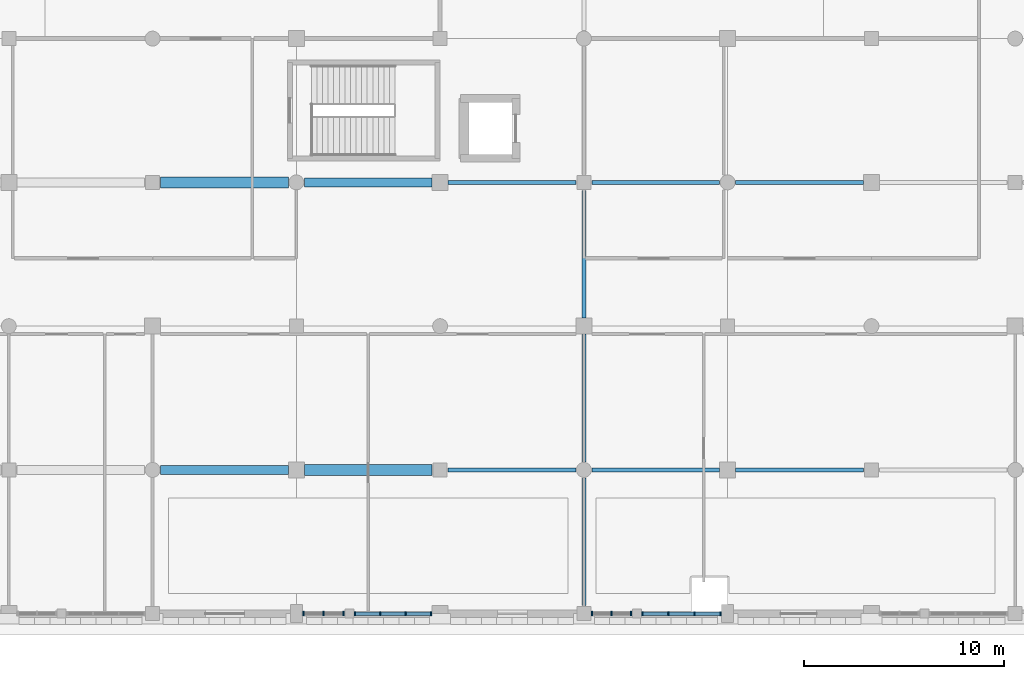
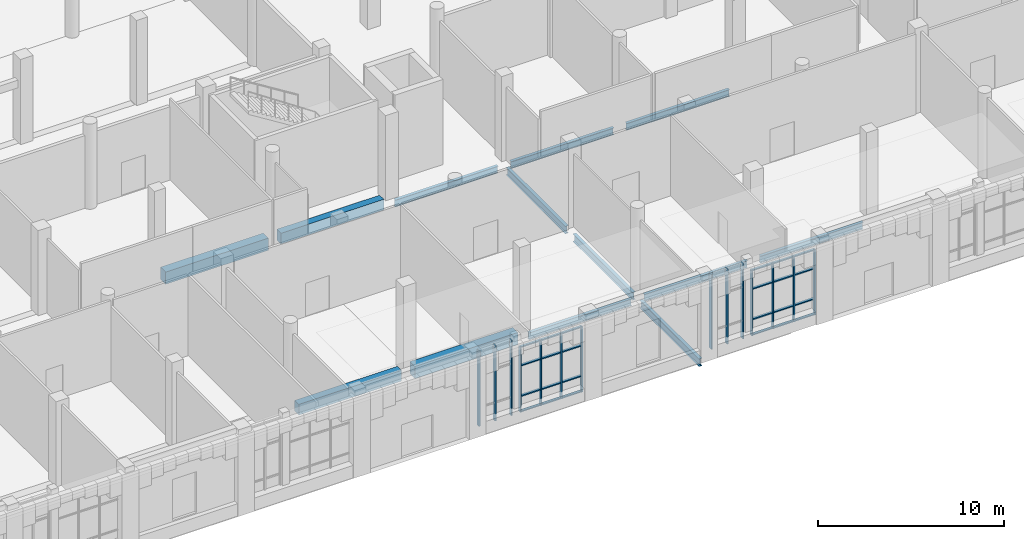
# One storey, part 15 of 85: 38 members, 13 beams, 4 elements without a shape of their own.
"""IFC4 building model written with IfcOpenShell, lengths in metres."""

from ifc_helpers import new_model, si_unit, direction, frame, origin, origin_2d, place, context, subcontext, project, spatial, rectangle, i_section, extrude, material, material_profile, profile_set, type_object, element, aggregate, save


model = new_model("IFC4")

# Units and contexts
model_context = context("Model", 3, precision=1e-05, world=origin(), true_north=direction((0.0, 1.0)))
body_context = subcontext(model_context, "Body", "Model", "MODEL_VIEW")
ifc_project = project(units=[si_unit("LENGTHUNIT", "METRE"), si_unit("AREAUNIT", "SQUARE_METRE"), si_unit("VOLUMEUNIT", "CUBIC_METRE"), si_unit("PLANEANGLEUNIT", "RADIAN"), si_unit("MASSUNIT", "GRAM", prefix="KILO")], contexts=[model_context])

# Site, building, storey
site_placement = place(None, origin())
site = spatial("IfcSite", under=ifc_project, at=site_placement, CompositionType="ELEMENT")
building_placement = place(site_placement, origin())
building = spatial("IfcBuilding", under=site, at=building_placement, Name="Sardonyx Promenade Sports Hall", CompositionType="ELEMENT")
storey_placement = place(building_placement, origin())
storey = spatial("IfcBuildingStorey", under=building, at=storey_placement, Name="L00", CompositionType="ELEMENT", Elevation=0.0)

# Beams
ifc_material_1 = material(Name="Concrete C40/50", Category="concrete")
ifc_material_profile_1 = material_profile(ifc_material_1, rectangle(XDim=0.550048828125, YDim=0.800048828125, at=origin_2d()))
ifc_profile_set_1 = profile_set([ifc_material_profile_1], Name="Concrete C40/50")
beam_type_1 = type_object("IfcBeamType", Name="Bm_Girder_RC800", PredefinedType="BEAM", material=ifc_profile_set_1)
beam_1_placement = place(storey_placement, frame((101.199951171875, 7.199951171875, -0.39990234375), z_axis=(1.0, 0.0, 0.0), x_axis=(0.0, 1.0, 0.0)))
element("IfcBeam", 1, at=beam_1_placement, inside=storey, type_object=beam_type_1, Name="Beam BG04 L00 #68", PredefinedType="BEAM", context=body_context, shape_type="SweptSolid", body=[
    extrude(rectangle(XDim=0.550048828125, YDim=0.800048828125, at=origin_2d()), origin(), (0.0, 0.0, 1.0), 6.400146484375),
])
beam_2_placement = place(storey_placement, frame((94.0, 21.60009765625, -0.39990234375), z_axis=(1.0, 0.0, 0.0), x_axis=(0.0, 1.0, 0.0)))
element("IfcBeam", 2, at=beam_2_placement, inside=storey, type_object=beam_type_1, Name="Beam BG04 L00 #90", PredefinedType="BEAM", context=body_context, shape_type="SweptSolid", body=[
    extrude(rectangle(XDim=0.550048828125, YDim=0.800048828125, at=origin_2d()), origin(), (0.0, 0.0, 1.0), 6.39990234375),
])
ifc_material_2 = material(Name="Steel S355JR", Category="steel")
ifc_material_profile_2 = material_profile(ifc_material_2, i_section(OverallWidth=0.18994140625, OverallDepth=0.453369140625, WebThickness=0.008544921875, FlangeThickness=0.0126953125, at=origin_2d()))
ifc_profile_set_2 = profile_set([ifc_material_profile_2], Name="Steel S355JR")
beam_type_2 = type_object("IfcBeamType", Name="Bm_Girder_UB457", PredefinedType="BEAM", material=ifc_profile_set_2)
beam_3_placement = place(storey_placement, frame((108.39990234375, 7.199951171875, -0.646728515625), z_axis=(1.0, 0.0, 0.0), x_axis=(0.0, 1.0, 0.0)))
element("IfcBeam", 3, at=beam_3_placement, inside=storey, type_object=beam_type_2, Name="Beam SB01 L00 #69", PredefinedType="BEAM", context=body_context, shape_type="SweptSolid", body=[
    extrude(i_section(OverallWidth=0.18994140625, OverallDepth=0.453369140625, WebThickness=0.008544921875, FlangeThickness=0.0126953125, at=origin_2d()), origin(), (0.0, 0.0, 1.0), 6.400146484375),
])
for number, where, z_axis, x_axis, name in (
    (4, (115.60009765625, 7.199951171875, -0.646728515625), (1.0, 0.0, 0.0), (0.0, 1.0, 0.0), "Beam SB01 L00 #70"),
    (5, (122.800048828125, 7.199951171875, -0.646728515625), (1.0, 0.0, 0.0), (0.0, 1.0, 0.0), "Beam SB01 L00 #71"),
):
    element("IfcBeam", number, at=place(storey_placement, frame(where, z_axis=z_axis, x_axis=x_axis)), inside=storey, type_object=beam_type_2, Name=name, PredefinedType="BEAM", context=body_context, shape_type="SweptSolid", body=[
        extrude(i_section(OverallWidth=0.18994140625, OverallDepth=0.453369140625, WebThickness=0.008544921875, FlangeThickness=0.0126953125, at=origin_2d()), origin(), (0.0, 0.0, 1.0), 6.39990234375),
    ])
beam_4_placement = place(storey_placement, frame((108.39990234375, 21.60009765625, -0.646728515625), z_axis=(1.0, 0.0, 0.0), x_axis=(0.0, 1.0, 0.0)))
element("IfcBeam", 6, at=beam_4_placement, inside=storey, type_object=beam_type_2, Name="Beam SB01 L00 #92", PredefinedType="BEAM", context=body_context, shape_type="SweptSolid", body=[
    extrude(i_section(OverallWidth=0.18994140625, OverallDepth=0.453369140625, WebThickness=0.008544921875, FlangeThickness=0.0126953125, at=origin_2d()), origin(), (0.0, 0.0, 1.0), 6.400146484375),
])
for number, where, z_axis, x_axis, name in (
    (7, (115.60009765625, 21.60009765625, -0.646728515625), (1.0, 0.0, 0.0), (0.0, 1.0, 0.0), "Beam SB01 L00 #93"),
    (8, (122.800048828125, 21.60009765625, -0.646728515625), (1.0, 0.0, 0.0), (0.0, 1.0, 0.0), "Beam SB01 L00 #94"),
):
    element("IfcBeam", number, at=place(storey_placement, frame(where, z_axis=z_axis, x_axis=x_axis)), inside=storey, type_object=beam_type_2, Name=name, PredefinedType="BEAM", context=body_context, shape_type="SweptSolid", body=[
        extrude(i_section(OverallWidth=0.18994140625, OverallDepth=0.453369140625, WebThickness=0.008544921875, FlangeThickness=0.0126953125, at=origin_2d()), origin(), (0.0, 0.0, 1.0), 6.39990234375),
    ])
ifc_material_3 = material(Name="Steel S355JR", Category="steel")
ifc_material_profile_3 = material_profile(ifc_material_3, i_section(OverallWidth=0.199951171875, OverallDepth=0.5, WebThickness=0.01025390625, FlangeThickness=0.01611328125, at=origin_2d()))
ifc_profile_set_3 = profile_set([ifc_material_profile_3], Name="Steel S355JR")
beam_type_3 = type_object("IfcBeamType", Name="Bm_Primary_IPE500", PredefinedType="BEAM", material=ifc_profile_set_3)
beam_5_placement = place(storey_placement, frame((115.199951171875, 0.39990234375, -0.669921875), z_axis=(0.0, 1.0, 0.0), x_axis=(-1.0, 0.0, 0.0)))
element("IfcBeam", 9, at=beam_5_placement, inside=storey, type_object=beam_type_3, Name="Beam SB06 L00 #148", PredefinedType="BEAM", context=body_context, shape_type="SweptSolid", body=[
    extrude(i_section(OverallWidth=0.199951171875, OverallDepth=0.5, WebThickness=0.01025390625, FlangeThickness=0.01611328125, at=origin_2d()), origin(), (0.0, 0.0, 1.0), 6.400146484375),
])
for number, where, z_axis, x_axis, name in (
    (10, (115.199951171875, 7.60009765625, -0.669921875), (0.0, 1.0, 0.0), (-1.0, 0.0, 0.0), "Beam SB06 L00 #149"),
    (11, (115.199951171875, 14.800048828125, -0.669921875), (0.0, 1.0, 0.0), (-1.0, 0.0, 0.0), "Beam SB06 L00 #150"),
):
    element("IfcBeam", number, at=place(storey_placement, frame(where, z_axis=z_axis, x_axis=x_axis)), inside=storey, type_object=beam_type_3, Name=name, PredefinedType="BEAM", context=body_context, shape_type="SweptSolid", body=[
        extrude(i_section(OverallWidth=0.199951171875, OverallDepth=0.5, WebThickness=0.01025390625, FlangeThickness=0.01611328125, at=origin_2d()), origin(), (0.0, 0.0, 1.0), 6.39990234375),
    ])
ifc_material_4 = material(Name="Concrete C40/50", Category="concrete")
ifc_material_profile_4 = material_profile(ifc_material_4, rectangle(XDim=0.449951171875, YDim=0.699951171875, at=origin_2d()))
ifc_profile_set_4 = profile_set([ifc_material_profile_4], Name="Concrete C40/50")
beam_type_4 = type_object("IfcBeamType", Name="Bm_Primary_RC700", PredefinedType="BEAM", material=ifc_profile_set_4)
beam_6_placement = place(storey_placement, frame((94.0, 7.199951171875, -0.35009765625), z_axis=(1.0, 0.0, 0.0), x_axis=(0.0, 1.0, 0.0)))
element("IfcBeam", 12, at=beam_6_placement, inside=storey, type_object=beam_type_4, Name="Beam BG01 L00 #67", PredefinedType="BEAM", context=body_context, shape_type="SweptSolid", body=[
    extrude(rectangle(XDim=0.449951171875, YDim=0.699951171875, at=origin_2d()), origin(), (0.0, 0.0, 1.0), 6.39990234375),
])
beam_7_placement = place(storey_placement, frame((101.199951171875, 21.60009765625, -0.35009765625), z_axis=(1.0, 0.0, 0.0), x_axis=(0.0, 1.0, 0.0)))
element("IfcBeam", 13, at=beam_7_placement, inside=storey, type_object=beam_type_4, Name="Beam BG01 L00 #91", PredefinedType="BEAM", context=body_context, shape_type="SweptSolid", body=[
    extrude(rectangle(XDim=0.449951171875, YDim=0.699951171875, at=origin_2d()), origin(), (0.0, 0.0, 1.0), 6.400146484375),
])

# Curtain wall, members
ifc_material_5 = material(Name="Aluminium 6063-T6", Category="aluminium")
curtain_wall_type_1 = type_object("IfcCurtainWallType", Name="CW_South_L00_640", PredefinedType="USERDEFINED", material=ifc_material_5)
curtain_wall_1_placement = place(storey_placement, origin())
curtain_wall_1 = element("IfcCurtainWall", 14, at=curtain_wall_1_placement, inside=storey, type_object=curtain_wall_type_1, Name="Curtain wall CW11 cw:L00:005", ObjectType="CURTAIN WALL", PredefinedType="USERDEFINED")
ifc_material_6 = material(Name="Aluminium 6063-T6", Category="aluminium")
ifc_material_profile_5 = material_profile(ifc_material_6, rectangle(XDim=0.070068359375, YDim=0.199951171875, at=origin_2d()))
ifc_profile_set_5 = profile_set([ifc_material_profile_5], Name="Aluminium 6063-T6")
member_type_1 = type_object("IfcMemberType", Name="CW_Mull_200", PredefinedType="MULLION", material=ifc_profile_set_5)
member_1_placement = place(storey_placement, frame((122.044921875, 0.0, 0.35009765625), z_axis=(0.0, 0.0, 1.0), x_axis=(-1.0, 0.0, 0.0)))
member_1 = element("IfcMember", 15, at=member_1_placement, type_object=member_type_1, Name="Mullion CM03 cw:L00:005 #1", PredefinedType="MULLION", context=body_context, shape_type="SweptSolid", body=[
    extrude(rectangle(XDim=0.070068359375, YDim=0.199951171875, at=origin_2d()), origin(), (0.0, 0.0, 1.0), 4.2998046875),
])
member_2_placement = place(storey_placement, frame((120.739990234375, 0.0, 0.35009765625), z_axis=(0.0, 0.0, 1.0), x_axis=(-1.0, 0.0, 0.0)))
member_2 = element("IfcMember", 16, at=member_2_placement, type_object=member_type_1, Name="Mullion CM03 cw:L00:005 #2", PredefinedType="MULLION", context=body_context, shape_type="SweptSolid", body=[
    extrude(rectangle(XDim=0.070068359375, YDim=0.199951171875, at=origin_2d()), origin(), (0.0, 0.0, 1.0), 4.2998046875),
])
member_3_placement = place(storey_placement, frame((119.43505859375, 0.0, 0.35009765625), z_axis=(0.0, 0.0, 1.0), x_axis=(-1.0, 0.0, 0.0)))
member_3 = element("IfcMember", 17, at=member_3_placement, type_object=member_type_1, Name="Mullion CM03 cw:L00:005 #3", PredefinedType="MULLION", context=body_context, shape_type="SweptSolid", body=[
    extrude(rectangle(XDim=0.070068359375, YDim=0.199951171875, at=origin_2d()), origin(), (0.0, 0.0, 1.0), 4.2998046875),
])
member_4_placement = place(storey_placement, frame((118.1298828125, 0.0, 0.35009765625), z_axis=(0.0, 0.0, 1.0), x_axis=(-1.0, 0.0, 0.0)))
member_4 = element("IfcMember", 18, at=member_4_placement, type_object=member_type_1, Name="Mullion CM03 cw:L00:005 #4", PredefinedType="MULLION", context=body_context, shape_type="SweptSolid", body=[
    extrude(rectangle(XDim=0.070068359375, YDim=0.199951171875, at=origin_2d()), origin(), (0.0, 0.0, 1.0), 4.2998046875),
])

curtain_wall_2_placement = place(storey_placement, origin())
curtain_wall_2 = element("IfcCurtainWall", 19, at=curtain_wall_2_placement, inside=storey, type_object=curtain_wall_type_1, Name="Curtain wall CW11 cw:L00:007", ObjectType="CURTAIN WALL", PredefinedType="USERDEFINED")
member_5_placement = place(storey_placement, frame((107.544921875, 0.0, 0.35009765625), z_axis=(0.0, 0.0, 1.0), x_axis=(-1.0, 0.0, 0.0)))
member_5 = element("IfcMember", 20, at=member_5_placement, type_object=member_type_1, Name="Mullion CM03 cw:L00:007 #1", PredefinedType="MULLION", context=body_context, shape_type="SweptSolid", body=[
    extrude(rectangle(XDim=0.070068359375, YDim=0.199951171875, at=origin_2d()), origin(), (0.0, 0.0, 1.0), 4.2998046875),
])
member_6_placement = place(storey_placement, frame((106.2734375, 0.0, 0.35009765625), z_axis=(0.0, 0.0, 1.0), x_axis=(-1.0, 0.0, 0.0)))
member_6 = element("IfcMember", 21, at=member_6_placement, type_object=member_type_1, Name="Mullion CM03 cw:L00:007 #2", PredefinedType="MULLION", context=body_context, shape_type="SweptSolid", body=[
    extrude(rectangle(XDim=0.070068359375, YDim=0.199951171875, at=origin_2d()), origin(), (0.0, 0.0, 1.0), 4.2998046875),
])
member_7_placement = place(storey_placement, frame((105.001708984375, 0.0, 0.35009765625), z_axis=(0.0, 0.0, 1.0), x_axis=(-1.0, 0.0, 0.0)))
member_7 = element("IfcMember", 22, at=member_7_placement, type_object=member_type_1, Name="Mullion CM03 cw:L00:007 #3", PredefinedType="MULLION", context=body_context, shape_type="SweptSolid", body=[
    extrude(rectangle(XDim=0.070068359375, YDim=0.199951171875, at=origin_2d()), origin(), (0.0, 0.0, 1.0), 4.2998046875),
])
member_8_placement = place(storey_placement, frame((103.72998046875, 0.0, 0.35009765625), z_axis=(0.0, 0.0, 1.0), x_axis=(-1.0, 0.0, 0.0)))
member_8 = element("IfcMember", 23, at=member_8_placement, type_object=member_type_1, Name="Mullion CM03 cw:L00:007 #4", PredefinedType="MULLION", context=body_context, shape_type="SweptSolid", body=[
    extrude(rectangle(XDim=0.070068359375, YDim=0.199951171875, at=origin_2d()), origin(), (0.0, 0.0, 1.0), 4.2998046875),
])

ifc_material_7 = material(Name="Aluminium 6063-T6", Category="aluminium")
curtain_wall_type_2 = type_object("IfcCurtainWallType", Name="CW_Foyer_Pilaster_L00", PredefinedType="USERDEFINED", material=ifc_material_7)
curtain_wall_3_placement = place(storey_placement, origin())
curtain_wall_3 = element("IfcCurtainWall", 24, at=curtain_wall_3_placement, inside=storey, type_object=curtain_wall_type_2, Name="Curtain wall CW20 cw:L00:006", ObjectType="CURTAIN WALL", PredefinedType="USERDEFINED")
ifc_material_8 = material(Name="Aluminium 6063-T6", Category="aluminium")
ifc_material_profile_6 = material_profile(ifc_material_8, rectangle(XDim=0.074951171875, YDim=0.22509765625, at=origin_2d()))
ifc_profile_set_6 = profile_set([ifc_material_profile_6], Name="Aluminium 6063-T6")
member_type_2 = type_object("IfcMemberType", Name="CW_Mull_225", PredefinedType="MULLION", material=ifc_profile_set_6)
member_9_placement = place(storey_placement, frame((117.5673828125, 0.0, 0.35009765625), z_axis=(0.0, 0.0, 1.0), x_axis=(-1.0, 0.0, 0.0)))
member_9 = element("IfcMember", 25, at=member_9_placement, type_object=member_type_2, Name="Mullion CM04 cw:L00:006 #1", PredefinedType="MULLION", context=body_context, shape_type="SweptSolid", body=[
    extrude(rectangle(XDim=0.074951171875, YDim=0.22509765625, at=origin_2d()), origin(), (0.0, 0.0, 1.0), 4.949951171875),
])
member_10_placement = place(storey_placement, frame((116.58740234375, 0.0, 0.35009765625), z_axis=(0.0, 0.0, 1.0), x_axis=(-1.0, 0.0, 0.0)))
member_10 = element("IfcMember", 26, at=member_10_placement, type_object=member_type_2, Name="Mullion CM04 cw:L00:006 #2", PredefinedType="MULLION", context=body_context, shape_type="SweptSolid", body=[
    extrude(rectangle(XDim=0.074951171875, YDim=0.22509765625, at=origin_2d()), origin(), (0.0, 0.0, 1.0), 4.949951171875),
])
member_11_placement = place(storey_placement, frame((115.607421875, 0.0, 0.35009765625), z_axis=(0.0, 0.0, 1.0), x_axis=(-1.0, 0.0, 0.0)))
member_11 = element("IfcMember", 27, at=member_11_placement, type_object=member_type_2, Name="Mullion CM04 cw:L00:006 #3", PredefinedType="MULLION", context=body_context, shape_type="SweptSolid", body=[
    extrude(rectangle(XDim=0.074951171875, YDim=0.22509765625, at=origin_2d()), origin(), (0.0, 0.0, 1.0), 4.949951171875),
])
aggregate(curtain_wall_3, [member_9, member_10, member_11])

curtain_wall_4_placement = place(storey_placement, origin())
curtain_wall_4 = element("IfcCurtainWall", 28, at=curtain_wall_4_placement, inside=storey, type_object=curtain_wall_type_2, Name="Curtain wall CW20 cw:L00:008", ObjectType="CURTAIN WALL", PredefinedType="USERDEFINED")
member_12_placement = place(storey_placement, frame((103.16748046875, 0.0, 0.35009765625), z_axis=(0.0, 0.0, 1.0), x_axis=(-1.0, 0.0, 0.0)))
member_12 = element("IfcMember", 29, at=member_12_placement, type_object=member_type_2, Name="Mullion CM04 cw:L00:008 #1", PredefinedType="MULLION", context=body_context, shape_type="SweptSolid", body=[
    extrude(rectangle(XDim=0.074951171875, YDim=0.22509765625, at=origin_2d()), origin(), (0.0, 0.0, 1.0), 4.949951171875),
])
member_13_placement = place(storey_placement, frame((102.16259765625, 0.0, 0.35009765625), z_axis=(0.0, 0.0, 1.0), x_axis=(-1.0, 0.0, 0.0)))
member_13 = element("IfcMember", 30, at=member_13_placement, type_object=member_type_2, Name="Mullion CM04 cw:L00:008 #2", PredefinedType="MULLION", context=body_context, shape_type="SweptSolid", body=[
    extrude(rectangle(XDim=0.074951171875, YDim=0.22509765625, at=origin_2d()), origin(), (0.0, 0.0, 1.0), 4.949951171875),
])
member_14_placement = place(storey_placement, frame((101.157470703125, 0.0, 0.35009765625), z_axis=(0.0, 0.0, 1.0), x_axis=(-1.0, 0.0, 0.0)))
member_14 = element("IfcMember", 31, at=member_14_placement, type_object=member_type_2, Name="Mullion CM04 cw:L00:008 #3", PredefinedType="MULLION", context=body_context, shape_type="SweptSolid", body=[
    extrude(rectangle(XDim=0.074951171875, YDim=0.22509765625, at=origin_2d()), origin(), (0.0, 0.0, 1.0), 4.949951171875),
])
aggregate(curtain_wall_4, [member_12, member_13, member_14])

# Member
ifc_material_9 = material(Name="Aluminium 6063-T6", Category="aluminium")
ifc_material_profile_7 = material_profile(ifc_material_9, rectangle(XDim=0.070068359375, YDim=0.159912109375, at=origin_2d()))
ifc_profile_set_7 = profile_set([ifc_material_profile_7], Name="Aluminium 6063-T6")
member_type_3 = type_object("IfcMemberType", Name="CW_Tran_160", PredefinedType="USERDEFINED", material=ifc_profile_set_7)
member_15_placement = place(storey_placement, frame((122.010009765625, 0.0, 0.385009765625), z_axis=(-1.0, 0.0, 0.0), x_axis=(0.0, 0.0, 1.0)))
member_15 = element("IfcMember", 32, at=member_15_placement, type_object=member_type_3, Name="Transom CT03 cw:L00:005 #1", ObjectType="TRANSOM", PredefinedType="USERDEFINED", context=body_context, shape_type="SweptSolid", body=[
    extrude(rectangle(XDim=0.070068359375, YDim=0.159912109375, at=origin_2d()), origin(), (0.0, 0.0, 1.0), 1.235107421875),
])

member_16_placement = place(storey_placement, frame((122.010009765625, 0.0, 1.39990234375), z_axis=(-1.0, 0.0, 0.0), x_axis=(0.0, 0.0, 1.0)))
member_16 = element("IfcMember", 33, at=member_16_placement, type_object=member_type_3, Name="Transom CT03 cw:L00:005 #2", ObjectType="TRANSOM", PredefinedType="USERDEFINED", context=body_context, shape_type="SweptSolid", body=[
    extrude(rectangle(XDim=0.070068359375, YDim=0.159912109375, at=origin_2d()), origin(), (0.0, 0.0, 1.0), 1.235107421875),
])

member_17_placement = place(storey_placement, frame((122.010009765625, 0.0, 3.39990234375), z_axis=(-1.0, 0.0, 0.0), x_axis=(0.0, 0.0, 1.0)))
member_17 = element("IfcMember", 34, at=member_17_placement, type_object=member_type_3, Name="Transom CT03 cw:L00:005 #3", ObjectType="TRANSOM", PredefinedType="USERDEFINED", context=body_context, shape_type="SweptSolid", body=[
    extrude(rectangle(XDim=0.070068359375, YDim=0.159912109375, at=origin_2d()), origin(), (0.0, 0.0, 1.0), 1.235107421875),
])

member_18_placement = place(storey_placement, frame((122.010009765625, 0.0, 4.614990234375), z_axis=(-1.0, 0.0, 0.0), x_axis=(0.0, 0.0, 1.0)))
member_18 = element("IfcMember", 35, at=member_18_placement, type_object=member_type_3, Name="Transom CT03 cw:L00:005 #4", ObjectType="TRANSOM", PredefinedType="USERDEFINED", context=body_context, shape_type="SweptSolid", body=[
    extrude(rectangle(XDim=0.070068359375, YDim=0.159912109375, at=origin_2d()), origin(), (0.0, 0.0, 1.0), 1.235107421875),
])

member_19_placement = place(storey_placement, frame((120.705078125, 0.0, 0.385009765625), z_axis=(-1.0, 0.0, 0.0), x_axis=(0.0, 0.0, 1.0)))
member_19 = element("IfcMember", 36, at=member_19_placement, type_object=member_type_3, Name="Transom CT03 cw:L00:005 #5", ObjectType="TRANSOM", PredefinedType="USERDEFINED", context=body_context, shape_type="SweptSolid", body=[
    extrude(rectangle(XDim=0.070068359375, YDim=0.159912109375, at=origin_2d()), origin(), (0.0, 0.0, 1.0), 1.235107421875),
])

member_20_placement = place(storey_placement, frame((120.705078125, 0.0, 1.39990234375), z_axis=(-1.0, 0.0, 0.0), x_axis=(0.0, 0.0, 1.0)))
member_20 = element("IfcMember", 37, at=member_20_placement, type_object=member_type_3, Name="Transom CT03 cw:L00:005 #6", ObjectType="TRANSOM", PredefinedType="USERDEFINED", context=body_context, shape_type="SweptSolid", body=[
    extrude(rectangle(XDim=0.070068359375, YDim=0.159912109375, at=origin_2d()), origin(), (0.0, 0.0, 1.0), 1.235107421875),
])

member_21_placement = place(storey_placement, frame((120.705078125, 0.0, 3.39990234375), z_axis=(-1.0, 0.0, 0.0), x_axis=(0.0, 0.0, 1.0)))
member_21 = element("IfcMember", 38, at=member_21_placement, type_object=member_type_3, Name="Transom CT03 cw:L00:005 #7", ObjectType="TRANSOM", PredefinedType="USERDEFINED", context=body_context, shape_type="SweptSolid", body=[
    extrude(rectangle(XDim=0.070068359375, YDim=0.159912109375, at=origin_2d()), origin(), (0.0, 0.0, 1.0), 1.235107421875),
])

member_22_placement = place(storey_placement, frame((120.705078125, 0.0, 4.614990234375), z_axis=(-1.0, 0.0, 0.0), x_axis=(0.0, 0.0, 1.0)))
member_22 = element("IfcMember", 39, at=member_22_placement, type_object=member_type_3, Name="Transom CT03 cw:L00:005 #8", ObjectType="TRANSOM", PredefinedType="USERDEFINED", context=body_context, shape_type="SweptSolid", body=[
    extrude(rectangle(XDim=0.070068359375, YDim=0.159912109375, at=origin_2d()), origin(), (0.0, 0.0, 1.0), 1.235107421875),
])

member_23_placement = place(storey_placement, frame((119.39990234375, 0.0, 0.385009765625), z_axis=(-1.0, 0.0, 0.0), x_axis=(0.0, 0.0, 1.0)))
member_23 = element("IfcMember", 40, at=member_23_placement, type_object=member_type_3, Name="Transom CT03 cw:L00:005 #9", ObjectType="TRANSOM", PredefinedType="USERDEFINED", context=body_context, shape_type="SweptSolid", body=[
    extrude(rectangle(XDim=0.070068359375, YDim=0.159912109375, at=origin_2d()), origin(), (0.0, 0.0, 1.0), 1.23486328125),
])

member_24_placement = place(storey_placement, frame((119.39990234375, 0.0, 1.39990234375), z_axis=(-1.0, 0.0, 0.0), x_axis=(0.0, 0.0, 1.0)))
member_24 = element("IfcMember", 41, at=member_24_placement, type_object=member_type_3, Name="Transom CT03 cw:L00:005 #10", ObjectType="TRANSOM", PredefinedType="USERDEFINED", context=body_context, shape_type="SweptSolid", body=[
    extrude(rectangle(XDim=0.070068359375, YDim=0.159912109375, at=origin_2d()), origin(), (0.0, 0.0, 1.0), 1.23486328125),
])

member_25_placement = place(storey_placement, frame((119.39990234375, 0.0, 3.39990234375), z_axis=(-1.0, 0.0, 0.0), x_axis=(0.0, 0.0, 1.0)))
member_25 = element("IfcMember", 42, at=member_25_placement, type_object=member_type_3, Name="Transom CT03 cw:L00:005 #11", ObjectType="TRANSOM", PredefinedType="USERDEFINED", context=body_context, shape_type="SweptSolid", body=[
    extrude(rectangle(XDim=0.070068359375, YDim=0.159912109375, at=origin_2d()), origin(), (0.0, 0.0, 1.0), 1.23486328125),
])

member_26_placement = place(storey_placement, frame((119.39990234375, 0.0, 4.614990234375), z_axis=(-1.0, 0.0, 0.0), x_axis=(0.0, 0.0, 1.0)))
member_26 = element("IfcMember", 43, at=member_26_placement, type_object=member_type_3, Name="Transom CT03 cw:L00:005 #12", ObjectType="TRANSOM", PredefinedType="USERDEFINED", context=body_context, shape_type="SweptSolid", body=[
    extrude(rectangle(XDim=0.070068359375, YDim=0.159912109375, at=origin_2d()), origin(), (0.0, 0.0, 1.0), 1.23486328125),
])

aggregate(curtain_wall_1, [member_1, member_2, member_3, member_4, member_15, member_16, member_17, member_18, member_19, member_20, member_21, member_22, member_23, member_24, member_25, member_26])

member_27_placement = place(storey_placement, frame((107.510009765625, 0.0, 0.385009765625), z_axis=(-1.0, 0.0, 0.0), x_axis=(0.0, 0.0, 1.0)))
member_27 = element("IfcMember", 44, at=member_27_placement, type_object=member_type_3, Name="Transom CT03 cw:L00:007 #1", ObjectType="TRANSOM", PredefinedType="USERDEFINED", context=body_context, shape_type="SweptSolid", body=[
    extrude(rectangle(XDim=0.070068359375, YDim=0.159912109375, at=origin_2d()), origin(), (0.0, 0.0, 1.0), 1.20166015625),
])

member_28_placement = place(storey_placement, frame((107.510009765625, 0.0, 1.39990234375), z_axis=(-1.0, 0.0, 0.0), x_axis=(0.0, 0.0, 1.0)))
member_28 = element("IfcMember", 45, at=member_28_placement, type_object=member_type_3, Name="Transom CT03 cw:L00:007 #2", ObjectType="TRANSOM", PredefinedType="USERDEFINED", context=body_context, shape_type="SweptSolid", body=[
    extrude(rectangle(XDim=0.070068359375, YDim=0.159912109375, at=origin_2d()), origin(), (0.0, 0.0, 1.0), 1.20166015625),
])

member_29_placement = place(storey_placement, frame((107.510009765625, 0.0, 3.39990234375), z_axis=(-1.0, 0.0, 0.0), x_axis=(0.0, 0.0, 1.0)))
member_29 = element("IfcMember", 46, at=member_29_placement, type_object=member_type_3, Name="Transom CT03 cw:L00:007 #3", ObjectType="TRANSOM", PredefinedType="USERDEFINED", context=body_context, shape_type="SweptSolid", body=[
    extrude(rectangle(XDim=0.070068359375, YDim=0.159912109375, at=origin_2d()), origin(), (0.0, 0.0, 1.0), 1.20166015625),
])

member_30_placement = place(storey_placement, frame((107.510009765625, 0.0, 4.614990234375), z_axis=(-1.0, 0.0, 0.0), x_axis=(0.0, 0.0, 1.0)))
member_30 = element("IfcMember", 47, at=member_30_placement, type_object=member_type_3, Name="Transom CT03 cw:L00:007 #4", ObjectType="TRANSOM", PredefinedType="USERDEFINED", context=body_context, shape_type="SweptSolid", body=[
    extrude(rectangle(XDim=0.070068359375, YDim=0.159912109375, at=origin_2d()), origin(), (0.0, 0.0, 1.0), 1.20166015625),
])

member_31_placement = place(storey_placement, frame((106.23828125, 0.0, 0.385009765625), z_axis=(-1.0, 0.0, 0.0), x_axis=(0.0, 0.0, 1.0)))
member_31 = element("IfcMember", 48, at=member_31_placement, type_object=member_type_3, Name="Transom CT03 cw:L00:007 #5", ObjectType="TRANSOM", PredefinedType="USERDEFINED", context=body_context, shape_type="SweptSolid", body=[
    extrude(rectangle(XDim=0.070068359375, YDim=0.159912109375, at=origin_2d()), origin(), (0.0, 0.0, 1.0), 1.20166015625),
])

member_32_placement = place(storey_placement, frame((106.23828125, 0.0, 1.39990234375), z_axis=(-1.0, 0.0, 0.0), x_axis=(0.0, 0.0, 1.0)))
member_32 = element("IfcMember", 49, at=member_32_placement, type_object=member_type_3, Name="Transom CT03 cw:L00:007 #6", ObjectType="TRANSOM", PredefinedType="USERDEFINED", context=body_context, shape_type="SweptSolid", body=[
    extrude(rectangle(XDim=0.070068359375, YDim=0.159912109375, at=origin_2d()), origin(), (0.0, 0.0, 1.0), 1.20166015625),
])

member_33_placement = place(storey_placement, frame((106.23828125, 0.0, 3.39990234375), z_axis=(-1.0, 0.0, 0.0), x_axis=(0.0, 0.0, 1.0)))
member_33 = element("IfcMember", 50, at=member_33_placement, type_object=member_type_3, Name="Transom CT03 cw:L00:007 #7", ObjectType="TRANSOM", PredefinedType="USERDEFINED", context=body_context, shape_type="SweptSolid", body=[
    extrude(rectangle(XDim=0.070068359375, YDim=0.159912109375, at=origin_2d()), origin(), (0.0, 0.0, 1.0), 1.20166015625),
])

member_34_placement = place(storey_placement, frame((106.23828125, 0.0, 4.614990234375), z_axis=(-1.0, 0.0, 0.0), x_axis=(0.0, 0.0, 1.0)))
member_34 = element("IfcMember", 51, at=member_34_placement, type_object=member_type_3, Name="Transom CT03 cw:L00:007 #8", ObjectType="TRANSOM", PredefinedType="USERDEFINED", context=body_context, shape_type="SweptSolid", body=[
    extrude(rectangle(XDim=0.070068359375, YDim=0.159912109375, at=origin_2d()), origin(), (0.0, 0.0, 1.0), 1.20166015625),
])

member_35_placement = place(storey_placement, frame((104.966552734375, 0.0, 0.385009765625), z_axis=(-1.0, 0.0, 0.0), x_axis=(0.0, 0.0, 1.0)))
member_35 = element("IfcMember", 52, at=member_35_placement, type_object=member_type_3, Name="Transom CT03 cw:L00:007 #9", ObjectType="TRANSOM", PredefinedType="USERDEFINED", context=body_context, shape_type="SweptSolid", body=[
    extrude(rectangle(XDim=0.070068359375, YDim=0.159912109375, at=origin_2d()), origin(), (0.0, 0.0, 1.0), 1.20166015625),
])

member_36_placement = place(storey_placement, frame((104.966552734375, 0.0, 1.39990234375), z_axis=(-1.0, 0.0, 0.0), x_axis=(0.0, 0.0, 1.0)))
member_36 = element("IfcMember", 53, at=member_36_placement, type_object=member_type_3, Name="Transom CT03 cw:L00:007 #10", ObjectType="TRANSOM", PredefinedType="USERDEFINED", context=body_context, shape_type="SweptSolid", body=[
    extrude(rectangle(XDim=0.070068359375, YDim=0.159912109375, at=origin_2d()), origin(), (0.0, 0.0, 1.0), 1.20166015625),
])

member_37_placement = place(storey_placement, frame((104.966552734375, 0.0, 3.39990234375), z_axis=(-1.0, 0.0, 0.0), x_axis=(0.0, 0.0, 1.0)))
member_37 = element("IfcMember", 54, at=member_37_placement, type_object=member_type_3, Name="Transom CT03 cw:L00:007 #11", ObjectType="TRANSOM", PredefinedType="USERDEFINED", context=body_context, shape_type="SweptSolid", body=[
    extrude(rectangle(XDim=0.070068359375, YDim=0.159912109375, at=origin_2d()), origin(), (0.0, 0.0, 1.0), 1.20166015625),
])

member_38_placement = place(storey_placement, frame((104.966552734375, 0.0, 4.614990234375), z_axis=(-1.0, 0.0, 0.0), x_axis=(0.0, 0.0, 1.0)))
member_38 = element("IfcMember", 55, at=member_38_placement, type_object=member_type_3, Name="Transom CT03 cw:L00:007 #12", ObjectType="TRANSOM", PredefinedType="USERDEFINED", context=body_context, shape_type="SweptSolid", body=[
    extrude(rectangle(XDim=0.070068359375, YDim=0.159912109375, at=origin_2d()), origin(), (0.0, 0.0, 1.0), 1.20166015625),
])

aggregate(curtain_wall_2, [member_5, member_6, member_7, member_8, member_27, member_28, member_29, member_30, member_31, member_32, member_33, member_34, member_35, member_36, member_37, member_38])

save(model, "model.ifc")
